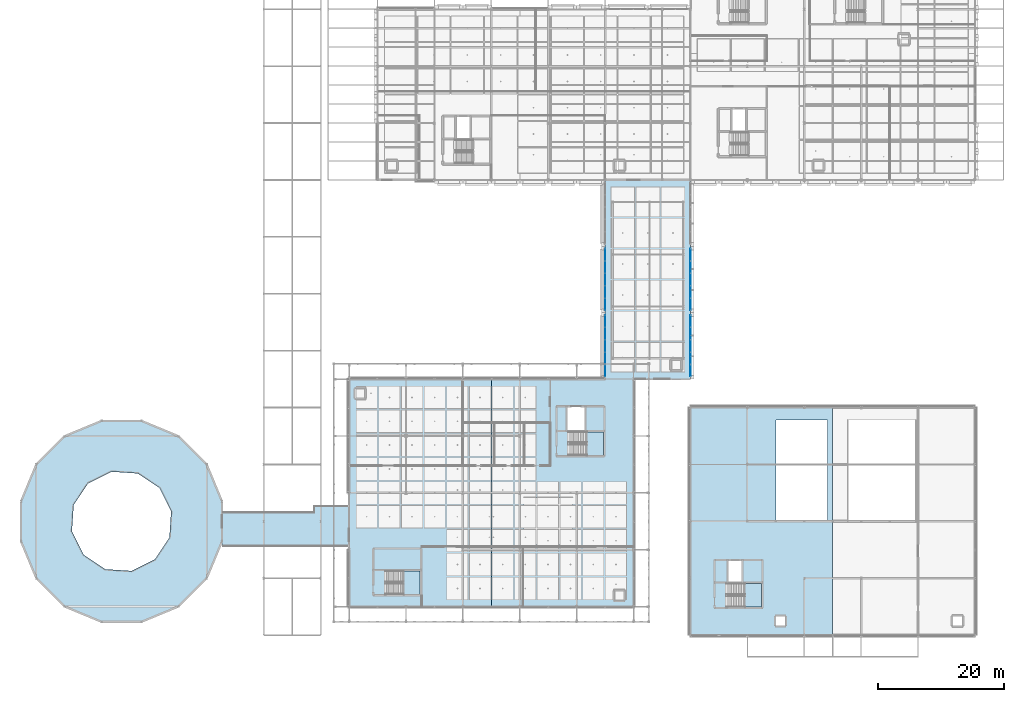
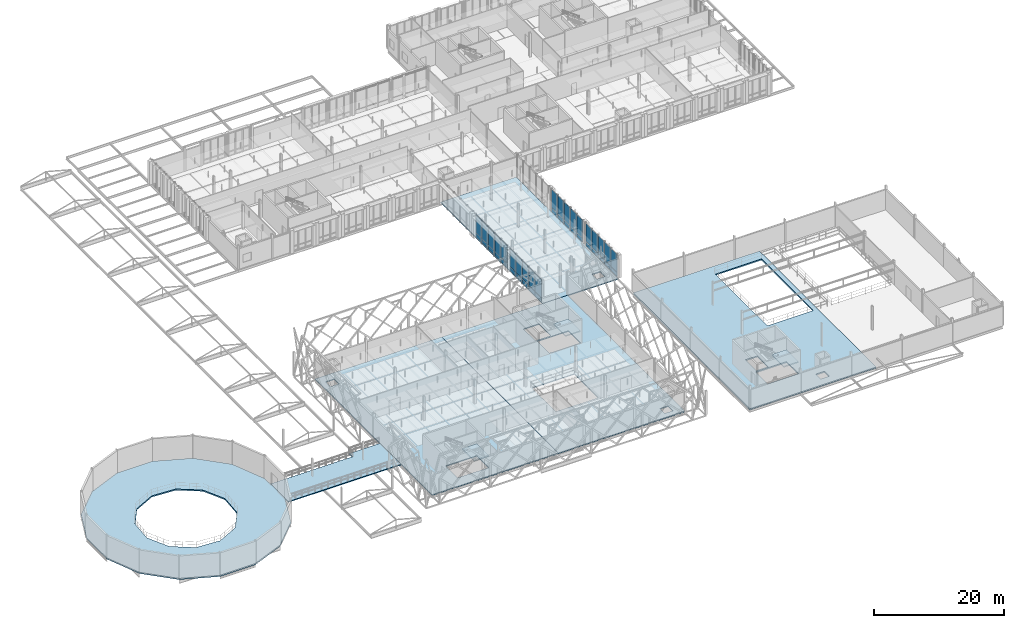
# One storey, part 73 of 140: 40 plates, 9 slabs, 7 elements without a shape of their own.
"""IFC4 building model written with IfcOpenShell, lengths in metres."""

from ifc_helpers import new_model, si_unit, direction, frame, origin, origin_2d, place, context, subcontext, project, spatial, polyline, rectangle, outline, extrude, material, layer, layer_set, type_object, element, aggregate, save


model = new_model("IFC4")

# Units and contexts
model_context = context("Model", 3, precision=1e-05, world=origin(), true_north=direction((0.0, 1.0)))
body_context = subcontext(model_context, "Body", "Model", "MODEL_VIEW")
ifc_project = project(units=[si_unit("LENGTHUNIT", "METRE"), si_unit("AREAUNIT", "SQUARE_METRE"), si_unit("VOLUMEUNIT", "CUBIC_METRE"), si_unit("PLANEANGLEUNIT", "RADIAN"), si_unit("MASSUNIT", "GRAM", prefix="KILO"), si_unit("THERMODYNAMICTEMPERATUREUNIT", "KELVIN"), si_unit("POWERUNIT", "WATT")], contexts=[model_context])

# Site, building, storey
site_placement = place(None, origin())
site = spatial("IfcSite", under=ifc_project, at=site_placement, CompositionType="ELEMENT")
building_placement = place(site_placement, origin())
building = spatial("IfcBuilding", under=site, at=building_placement, Name="Tallowbark Science Centre", CompositionType="ELEMENT")
storey_placement = place(building_placement, frame((0.0, 0.0, 9.89990234375)))
storey = spatial("IfcBuildingStorey", under=building, at=storey_placement, Name="L02", CompositionType="ELEMENT", Elevation=9.89990234375)

# Curtain wall, plates
ifc_material_1 = material(Name="Unitised Thermally Broken Aluminium and Low-E Double Glazing", Category="aluminium")
curtain_wall_type = type_object("IfcCurtainWallType", Name="CW-SYS-FACADE", PredefinedType="NOTDEFINED", material=ifc_material_1)
curtain_wall_1_placement = place(storey_placement, origin())
curtain_wall_1 = element("IfcCurtainWall", 1, at=curtain_wall_1_placement, inside=storey, type_object=curtain_wall_type, Name="Unitised Curtain Wall LNK-W-0 CW-L02-016", PredefinedType="NOTDEFINED")
ifc_material_2 = material(Name="Double Glazed Argon Low-E Vision Glass", Category="glass")
ifc_layer_1 = layer(ifc_material_2, 0.028076171875)
ifc_layer_set_1 = layer_set([ifc_layer_1], Name="Double Glazed Argon Low-E Vision Glass")
plate_type_1 = type_object("IfcPlateType", Name="CWP-GLZ-28", PredefinedType="CURTAIN_PANEL", material=ifc_layer_set_1)
plate_1_placement = place(storey_placement, frame((99.0, 49.65380859375, 0.05517578125), z_axis=(0.0, 0.0, 1.0), x_axis=(0.0, -1.0, 0.0)))
plate_1 = element("IfcPlate", 2, at=plate_1_placement, type_object=plate_type_1, Name="CW-01 panel 1.1", PredefinedType="CURTAIN_PANEL", context=body_context, shape_type="SweptSolid", body=[
    extrude(rectangle(XDim=1.862548828125, YDim=0.028076171875, at=origin_2d()), origin(), (0.0, 0.0, 1.0), 0.767578125),
])
plate_2_placement = place(storey_placement, frame((99.0, 49.65380859375, 0.87744140625), z_axis=(0.0, 0.0, 1.0), x_axis=(0.0, -1.0, 0.0)))
plate_2 = element("IfcPlate", 3, at=plate_2_placement, type_object=plate_type_1, Name="CW-01 panel 1.2", PredefinedType="CURTAIN_PANEL", context=body_context, shape_type="SweptSolid", body=[
    extrude(rectangle(XDim=1.862548828125, YDim=0.028076171875, at=origin_2d()), origin(), (0.0, 0.0, 1.0), 3.387451171875),
])
plate_3_placement = place(storey_placement, frame((99.0, 47.7099609375, 0.05517578125), z_axis=(0.0, 0.0, 1.0), x_axis=(0.0, -1.0, 0.0)))
plate_3 = element("IfcPlate", 4, at=plate_3_placement, type_object=plate_type_1, Name="CW-01 panel 2.1", PredefinedType="CURTAIN_PANEL", context=body_context, shape_type="SweptSolid", body=[
    extrude(rectangle(XDim=1.89501953125, YDim=0.028076171875, at=origin_2d()), origin(), (0.0, 0.0, 1.0), 0.767578125),
])
plate_4_placement = place(storey_placement, frame((99.0, 47.7099609375, 0.87744140625), z_axis=(0.0, 0.0, 1.0), x_axis=(0.0, -1.0, 0.0)))
plate_4 = element("IfcPlate", 5, at=plate_4_placement, type_object=plate_type_1, Name="CW-01 panel 2.2", PredefinedType="CURTAIN_PANEL", context=body_context, shape_type="SweptSolid", body=[
    extrude(rectangle(XDim=1.89501953125, YDim=0.028076171875, at=origin_2d()), origin(), (0.0, 0.0, 1.0), 3.387451171875),
])
plate_5_placement = place(storey_placement, frame((99.0, 45.75, 0.05517578125), z_axis=(0.0, 0.0, 1.0), x_axis=(0.0, -1.0, 0.0)))
plate_5 = element("IfcPlate", 6, at=plate_5_placement, type_object=plate_type_1, Name="CW-01 panel 3.1", PredefinedType="CURTAIN_PANEL", context=body_context, shape_type="SweptSolid", body=[
    extrude(rectangle(XDim=1.89501953125, YDim=0.028076171875, at=origin_2d()), origin(), (0.0, 0.0, 1.0), 0.767578125),
])
plate_6_placement = place(storey_placement, frame((99.0, 45.75, 0.87744140625), z_axis=(0.0, 0.0, 1.0), x_axis=(0.0, -1.0, 0.0)))
plate_6 = element("IfcPlate", 7, at=plate_6_placement, type_object=plate_type_1, Name="CW-01 panel 3.2", PredefinedType="CURTAIN_PANEL", context=body_context, shape_type="SweptSolid", body=[
    extrude(rectangle(XDim=1.89501953125, YDim=0.028076171875, at=origin_2d()), origin(), (0.0, 0.0, 1.0), 3.387451171875),
])
plate_7_placement = place(storey_placement, frame((99.0, 43.7900390625, 0.05517578125), z_axis=(0.0, 0.0, 1.0), x_axis=(0.0, -1.0, 0.0)))
plate_7 = element("IfcPlate", 8, at=plate_7_placement, type_object=plate_type_1, Name="CW-01 panel 4.1", PredefinedType="CURTAIN_PANEL", context=body_context, shape_type="SweptSolid", body=[
    extrude(rectangle(XDim=1.89501953125, YDim=0.028076171875, at=origin_2d()), origin(), (0.0, 0.0, 1.0), 0.767578125),
])
plate_8_placement = place(storey_placement, frame((99.0, 43.7900390625, 0.87744140625), z_axis=(0.0, 0.0, 1.0), x_axis=(0.0, -1.0, 0.0)))
plate_8 = element("IfcPlate", 9, at=plate_8_placement, type_object=plate_type_1, Name="CW-01 panel 4.2", PredefinedType="CURTAIN_PANEL", context=body_context, shape_type="SweptSolid", body=[
    extrude(rectangle(XDim=1.89501953125, YDim=0.028076171875, at=origin_2d()), origin(), (0.0, 0.0, 1.0), 3.387451171875),
])
plate_9_placement = place(storey_placement, frame((99.0, 41.84619140625, 0.05517578125), z_axis=(0.0, 0.0, 1.0), x_axis=(0.0, -1.0, 0.0)))
plate_9 = element("IfcPlate", 10, at=plate_9_placement, type_object=plate_type_1, Name="CW-01 panel 5.1", PredefinedType="CURTAIN_PANEL", context=body_context, shape_type="SweptSolid", body=[
    extrude(rectangle(XDim=1.862548828125, YDim=0.028076171875, at=origin_2d()), origin(), (0.0, 0.0, 1.0), 0.767578125),
])
plate_10_placement = place(storey_placement, frame((99.0, 41.84619140625, 0.87744140625), z_axis=(0.0, 0.0, 1.0), x_axis=(0.0, -1.0, 0.0)))
plate_10 = element("IfcPlate", 11, at=plate_10_placement, type_object=plate_type_1, Name="CW-01 panel 5.2", PredefinedType="CURTAIN_PANEL", context=body_context, shape_type="SweptSolid", body=[
    extrude(rectangle(XDim=1.862548828125, YDim=0.028076171875, at=origin_2d()), origin(), (0.0, 0.0, 1.0), 3.387451171875),
])
aggregate(curtain_wall_1, [plate_1, plate_2, plate_3, plate_4, plate_5, plate_6, plate_7, plate_8, plate_9, plate_10])

curtain_wall_2_placement = place(storey_placement, origin())
curtain_wall_2 = element("IfcCurtainWall", 12, at=curtain_wall_2_placement, inside=storey, type_object=curtain_wall_type, Name="Unitised Curtain Wall LNK-E-0 CW-L02-017", PredefinedType="NOTDEFINED")
plate_11_placement = place(storey_placement, frame((112.5, 41.84619140625, 0.05517578125), z_axis=(0.0, 0.0, 1.0), x_axis=(0.0, 1.0, 0.0)))
plate_11 = element("IfcPlate", 13, at=plate_11_placement, type_object=plate_type_1, Name="CW-01 panel 1.1", PredefinedType="CURTAIN_PANEL", context=body_context, shape_type="SweptSolid", body=[
    extrude(rectangle(XDim=1.862548828125, YDim=0.028076171875, at=origin_2d()), origin(), (0.0, 0.0, 1.0), 0.767578125),
])
plate_12_placement = place(storey_placement, frame((112.5, 41.84619140625, 0.87744140625), z_axis=(0.0, 0.0, 1.0), x_axis=(0.0, 1.0, 0.0)))
plate_12 = element("IfcPlate", 14, at=plate_12_placement, type_object=plate_type_1, Name="CW-01 panel 1.2", PredefinedType="CURTAIN_PANEL", context=body_context, shape_type="SweptSolid", body=[
    extrude(rectangle(XDim=1.862548828125, YDim=0.028076171875, at=origin_2d()), origin(), (0.0, 0.0, 1.0), 3.387451171875),
])
plate_13_placement = place(storey_placement, frame((112.5, 43.7900390625, 0.05517578125), z_axis=(0.0, 0.0, 1.0), x_axis=(0.0, 1.0, 0.0)))
plate_13 = element("IfcPlate", 15, at=plate_13_placement, type_object=plate_type_1, Name="CW-01 panel 2.1", PredefinedType="CURTAIN_PANEL", context=body_context, shape_type="SweptSolid", body=[
    extrude(rectangle(XDim=1.89501953125, YDim=0.028076171875, at=origin_2d()), origin(), (0.0, 0.0, 1.0), 0.767578125),
])
plate_14_placement = place(storey_placement, frame((112.5, 43.7900390625, 0.87744140625), z_axis=(0.0, 0.0, 1.0), x_axis=(0.0, 1.0, 0.0)))
plate_14 = element("IfcPlate", 16, at=plate_14_placement, type_object=plate_type_1, Name="CW-01 panel 2.2", PredefinedType="CURTAIN_PANEL", context=body_context, shape_type="SweptSolid", body=[
    extrude(rectangle(XDim=1.89501953125, YDim=0.028076171875, at=origin_2d()), origin(), (0.0, 0.0, 1.0), 3.387451171875),
])
plate_15_placement = place(storey_placement, frame((112.5, 45.75, 0.05517578125), z_axis=(0.0, 0.0, 1.0), x_axis=(0.0, 1.0, 0.0)))
plate_15 = element("IfcPlate", 17, at=plate_15_placement, type_object=plate_type_1, Name="CW-01 panel 3.1", PredefinedType="CURTAIN_PANEL", context=body_context, shape_type="SweptSolid", body=[
    extrude(rectangle(XDim=1.89501953125, YDim=0.028076171875, at=origin_2d()), origin(), (0.0, 0.0, 1.0), 0.767578125),
])
plate_16_placement = place(storey_placement, frame((112.5, 45.75, 0.87744140625), z_axis=(0.0, 0.0, 1.0), x_axis=(0.0, 1.0, 0.0)))
plate_16 = element("IfcPlate", 18, at=plate_16_placement, type_object=plate_type_1, Name="CW-01 panel 3.2", PredefinedType="CURTAIN_PANEL", context=body_context, shape_type="SweptSolid", body=[
    extrude(rectangle(XDim=1.89501953125, YDim=0.028076171875, at=origin_2d()), origin(), (0.0, 0.0, 1.0), 3.387451171875),
])
plate_17_placement = place(storey_placement, frame((112.5, 47.7099609375, 0.05517578125), z_axis=(0.0, 0.0, 1.0), x_axis=(0.0, 1.0, 0.0)))
plate_17 = element("IfcPlate", 19, at=plate_17_placement, type_object=plate_type_1, Name="CW-01 panel 4.1", PredefinedType="CURTAIN_PANEL", context=body_context, shape_type="SweptSolid", body=[
    extrude(rectangle(XDim=1.89501953125, YDim=0.028076171875, at=origin_2d()), origin(), (0.0, 0.0, 1.0), 0.767578125),
])
plate_18_placement = place(storey_placement, frame((112.5, 47.7099609375, 0.87744140625), z_axis=(0.0, 0.0, 1.0), x_axis=(0.0, 1.0, 0.0)))
plate_18 = element("IfcPlate", 20, at=plate_18_placement, type_object=plate_type_1, Name="CW-01 panel 4.2", PredefinedType="CURTAIN_PANEL", context=body_context, shape_type="SweptSolid", body=[
    extrude(rectangle(XDim=1.89501953125, YDim=0.028076171875, at=origin_2d()), origin(), (0.0, 0.0, 1.0), 3.387451171875),
])
plate_19_placement = place(storey_placement, frame((112.5, 49.65380859375, 0.05517578125), z_axis=(0.0, 0.0, 1.0), x_axis=(0.0, 1.0, 0.0)))
plate_19 = element("IfcPlate", 21, at=plate_19_placement, type_object=plate_type_1, Name="CW-01 panel 5.1", PredefinedType="CURTAIN_PANEL", context=body_context, shape_type="SweptSolid", body=[
    extrude(rectangle(XDim=1.862548828125, YDim=0.028076171875, at=origin_2d()), origin(), (0.0, 0.0, 1.0), 0.767578125),
])
plate_20_placement = place(storey_placement, frame((112.5, 49.65380859375, 0.87744140625), z_axis=(0.0, 0.0, 1.0), x_axis=(0.0, 1.0, 0.0)))
plate_20 = element("IfcPlate", 22, at=plate_20_placement, type_object=plate_type_1, Name="CW-01 panel 5.2", PredefinedType="CURTAIN_PANEL", context=body_context, shape_type="SweptSolid", body=[
    extrude(rectangle(XDim=1.862548828125, YDim=0.028076171875, at=origin_2d()), origin(), (0.0, 0.0, 1.0), 3.387451171875),
])
aggregate(curtain_wall_2, [plate_11, plate_12, plate_13, plate_14, plate_15, plate_16, plate_17, plate_18, plate_19, plate_20])

curtain_wall_3_placement = place(storey_placement, origin())
curtain_wall_3 = element("IfcCurtainWall", 23, at=curtain_wall_3_placement, inside=storey, type_object=curtain_wall_type, Name="Unitised Curtain Wall LNK-E-1 CW-L02-019", PredefinedType="NOTDEFINED")
plate_21_placement = place(storey_placement, frame((112.5, 52.34619140625, 0.05517578125), z_axis=(0.0, 0.0, 1.0), x_axis=(0.0, 1.0, 0.0)))
plate_21 = element("IfcPlate", 24, at=plate_21_placement, type_object=plate_type_1, Name="CW-01 panel 1.1", PredefinedType="CURTAIN_PANEL", context=body_context, shape_type="SweptSolid", body=[
    extrude(rectangle(XDim=1.862548828125, YDim=0.028076171875, at=origin_2d()), origin(), (0.0, 0.0, 1.0), 0.767578125),
])
plate_22_placement = place(storey_placement, frame((112.5, 52.34619140625, 0.87744140625), z_axis=(0.0, 0.0, 1.0), x_axis=(0.0, 1.0, 0.0)))
plate_22 = element("IfcPlate", 25, at=plate_22_placement, type_object=plate_type_1, Name="CW-01 panel 1.2", PredefinedType="CURTAIN_PANEL", context=body_context, shape_type="SweptSolid", body=[
    extrude(rectangle(XDim=1.862548828125, YDim=0.028076171875, at=origin_2d()), origin(), (0.0, 0.0, 1.0), 3.387451171875),
])
plate_23_placement = place(storey_placement, frame((112.5, 54.2900390625, 0.05517578125), z_axis=(0.0, 0.0, 1.0), x_axis=(0.0, 1.0, 0.0)))
plate_23 = element("IfcPlate", 26, at=plate_23_placement, type_object=plate_type_1, Name="CW-01 panel 2.1", PredefinedType="CURTAIN_PANEL", context=body_context, shape_type="SweptSolid", body=[
    extrude(rectangle(XDim=1.89501953125, YDim=0.028076171875, at=origin_2d()), origin(), (0.0, 0.0, 1.0), 0.767578125),
])
plate_24_placement = place(storey_placement, frame((112.5, 54.2900390625, 0.87744140625), z_axis=(0.0, 0.0, 1.0), x_axis=(0.0, 1.0, 0.0)))
plate_24 = element("IfcPlate", 27, at=plate_24_placement, type_object=plate_type_1, Name="CW-01 panel 2.2", PredefinedType="CURTAIN_PANEL", context=body_context, shape_type="SweptSolid", body=[
    extrude(rectangle(XDim=1.89501953125, YDim=0.028076171875, at=origin_2d()), origin(), (0.0, 0.0, 1.0), 3.387451171875),
])
plate_25_placement = place(storey_placement, frame((112.5, 56.25, 0.05517578125), z_axis=(0.0, 0.0, 1.0), x_axis=(0.0, 1.0, 0.0)))
plate_25 = element("IfcPlate", 28, at=plate_25_placement, type_object=plate_type_1, Name="CW-01 panel 3.1", PredefinedType="CURTAIN_PANEL", context=body_context, shape_type="SweptSolid", body=[
    extrude(rectangle(XDim=1.89501953125, YDim=0.028076171875, at=origin_2d()), origin(), (0.0, 0.0, 1.0), 0.767578125),
])
plate_26_placement = place(storey_placement, frame((112.5, 56.25, 0.87744140625), z_axis=(0.0, 0.0, 1.0), x_axis=(0.0, 1.0, 0.0)))
plate_26 = element("IfcPlate", 29, at=plate_26_placement, type_object=plate_type_1, Name="CW-01 panel 3.2", PredefinedType="CURTAIN_PANEL", context=body_context, shape_type="SweptSolid", body=[
    extrude(rectangle(XDim=1.89501953125, YDim=0.028076171875, at=origin_2d()), origin(), (0.0, 0.0, 1.0), 3.387451171875),
])
plate_27_placement = place(storey_placement, frame((112.5, 58.2099609375, 0.05517578125), z_axis=(0.0, 0.0, 1.0), x_axis=(0.0, 1.0, 0.0)))
plate_27 = element("IfcPlate", 30, at=plate_27_placement, type_object=plate_type_1, Name="CW-01 panel 4.1", PredefinedType="CURTAIN_PANEL", context=body_context, shape_type="SweptSolid", body=[
    extrude(rectangle(XDim=1.89501953125, YDim=0.028076171875, at=origin_2d()), origin(), (0.0, 0.0, 1.0), 0.767578125),
])
plate_28_placement = place(storey_placement, frame((112.5, 58.2099609375, 0.87744140625), z_axis=(0.0, 0.0, 1.0), x_axis=(0.0, 1.0, 0.0)))
plate_28 = element("IfcPlate", 31, at=plate_28_placement, type_object=plate_type_1, Name="CW-01 panel 4.2", PredefinedType="CURTAIN_PANEL", context=body_context, shape_type="SweptSolid", body=[
    extrude(rectangle(XDim=1.89501953125, YDim=0.028076171875, at=origin_2d()), origin(), (0.0, 0.0, 1.0), 3.387451171875),
])
plate_29_placement = place(storey_placement, frame((112.5, 60.15380859375, 0.05517578125), z_axis=(0.0, 0.0, 1.0), x_axis=(0.0, 1.0, 0.0)))
plate_29 = element("IfcPlate", 32, at=plate_29_placement, type_object=plate_type_1, Name="CW-01 panel 5.1", PredefinedType="CURTAIN_PANEL", context=body_context, shape_type="SweptSolid", body=[
    extrude(rectangle(XDim=1.862548828125, YDim=0.028076171875, at=origin_2d()), origin(), (0.0, 0.0, 1.0), 0.767578125),
])
plate_30_placement = place(storey_placement, frame((112.5, 60.15380859375, 0.87744140625), z_axis=(0.0, 0.0, 1.0), x_axis=(0.0, 1.0, 0.0)))
plate_30 = element("IfcPlate", 33, at=plate_30_placement, type_object=plate_type_1, Name="CW-01 panel 5.2", PredefinedType="CURTAIN_PANEL", context=body_context, shape_type="SweptSolid", body=[
    extrude(rectangle(XDim=1.862548828125, YDim=0.028076171875, at=origin_2d()), origin(), (0.0, 0.0, 1.0), 3.387451171875),
])
aggregate(curtain_wall_3, [plate_21, plate_22, plate_23, plate_24, plate_25, plate_26, plate_27, plate_28, plate_29, plate_30])

curtain_wall_4_placement = place(storey_placement, origin())
curtain_wall_4 = element("IfcCurtainWall", 34, at=curtain_wall_4_placement, inside=storey, type_object=curtain_wall_type, Name="Unitised Curtain Wall LNK-W-1 CW-L02-018", PredefinedType="NOTDEFINED")
ifc_material_3 = material(Name="Ceramic-Fritted Insulated Glass Spandrel Panel", Category="glass")
ifc_layer_2 = layer(ifc_material_3, 0.031982421875)
ifc_layer_set_2 = layer_set([ifc_layer_2], Name="Ceramic-Fritted Insulated Glass Spandrel Panel")
plate_type_2 = type_object("IfcPlateType", Name="CWP-SPN-32", PredefinedType="CURTAIN_PANEL", material=ifc_layer_set_2)
plate_31_placement = place(storey_placement, frame((99.0, 60.15380859375, 0.05517578125), z_axis=(0.0, 0.0, 1.0), x_axis=(0.0, -1.0, 0.0)))
plate_31 = element("IfcPlate", 35, at=plate_31_placement, type_object=plate_type_2, Name="CW-01 panel 1.1", PredefinedType="CURTAIN_PANEL", context=body_context, shape_type="SweptSolid", body=[
    extrude(rectangle(XDim=1.862548828125, YDim=0.031982421875, at=origin_2d()), origin(), (0.0, 0.0, 1.0), 0.767578125),
])
plate_32_placement = place(storey_placement, frame((99.0, 60.15380859375, 0.87744140625), z_axis=(0.0, 0.0, 1.0), x_axis=(0.0, -1.0, 0.0)))
plate_32 = element("IfcPlate", 36, at=plate_32_placement, type_object=plate_type_2, Name="CW-01 panel 1.2", PredefinedType="CURTAIN_PANEL", context=body_context, shape_type="SweptSolid", body=[
    extrude(rectangle(XDim=1.862548828125, YDim=0.031982421875, at=origin_2d()), origin(), (0.0, 0.0, 1.0), 3.387451171875),
])
plate_33_placement = place(storey_placement, frame((99.0, 58.2099609375, 0.05517578125), z_axis=(0.0, 0.0, 1.0), x_axis=(0.0, -1.0, 0.0)))
plate_33 = element("IfcPlate", 37, at=plate_33_placement, type_object=plate_type_2, Name="CW-01 panel 2.1", PredefinedType="CURTAIN_PANEL", context=body_context, shape_type="SweptSolid", body=[
    extrude(rectangle(XDim=1.89501953125, YDim=0.031982421875, at=origin_2d()), origin(), (0.0, 0.0, 1.0), 0.767578125),
])
plate_34_placement = place(storey_placement, frame((99.0, 58.2099609375, 0.87744140625), z_axis=(0.0, 0.0, 1.0), x_axis=(0.0, -1.0, 0.0)))
plate_34 = element("IfcPlate", 38, at=plate_34_placement, type_object=plate_type_2, Name="CW-01 panel 2.2", PredefinedType="CURTAIN_PANEL", context=body_context, shape_type="SweptSolid", body=[
    extrude(rectangle(XDim=1.89501953125, YDim=0.031982421875, at=origin_2d()), origin(), (0.0, 0.0, 1.0), 3.387451171875),
])
plate_35_placement = place(storey_placement, frame((99.0, 56.25, 0.05517578125), z_axis=(0.0, 0.0, 1.0), x_axis=(0.0, -1.0, 0.0)))
plate_35 = element("IfcPlate", 39, at=plate_35_placement, type_object=plate_type_2, Name="CW-01 panel 3.1", PredefinedType="CURTAIN_PANEL", context=body_context, shape_type="SweptSolid", body=[
    extrude(rectangle(XDim=1.89501953125, YDim=0.031982421875, at=origin_2d()), origin(), (0.0, 0.0, 1.0), 0.767578125),
])
plate_36_placement = place(storey_placement, frame((99.0, 56.25, 0.87744140625), z_axis=(0.0, 0.0, 1.0), x_axis=(0.0, -1.0, 0.0)))
plate_36 = element("IfcPlate", 40, at=plate_36_placement, type_object=plate_type_2, Name="CW-01 panel 3.2", PredefinedType="CURTAIN_PANEL", context=body_context, shape_type="SweptSolid", body=[
    extrude(rectangle(XDim=1.89501953125, YDim=0.031982421875, at=origin_2d()), origin(), (0.0, 0.0, 1.0), 3.387451171875),
])
plate_37_placement = place(storey_placement, frame((99.0, 54.2900390625, 0.05517578125), z_axis=(0.0, 0.0, 1.0), x_axis=(0.0, -1.0, 0.0)))
plate_37 = element("IfcPlate", 41, at=plate_37_placement, type_object=plate_type_2, Name="CW-01 panel 4.1", PredefinedType="CURTAIN_PANEL", context=body_context, shape_type="SweptSolid", body=[
    extrude(rectangle(XDim=1.89501953125, YDim=0.031982421875, at=origin_2d()), origin(), (0.0, 0.0, 1.0), 0.767578125),
])
plate_38_placement = place(storey_placement, frame((99.0, 54.2900390625, 0.87744140625), z_axis=(0.0, 0.0, 1.0), x_axis=(0.0, -1.0, 0.0)))
plate_38 = element("IfcPlate", 42, at=plate_38_placement, type_object=plate_type_2, Name="CW-01 panel 4.2", PredefinedType="CURTAIN_PANEL", context=body_context, shape_type="SweptSolid", body=[
    extrude(rectangle(XDim=1.89501953125, YDim=0.031982421875, at=origin_2d()), origin(), (0.0, 0.0, 1.0), 3.387451171875),
])
plate_39_placement = place(storey_placement, frame((99.0, 52.34619140625, 0.05517578125), z_axis=(0.0, 0.0, 1.0), x_axis=(0.0, -1.0, 0.0)))
plate_39 = element("IfcPlate", 43, at=plate_39_placement, type_object=plate_type_2, Name="CW-01 panel 5.1", PredefinedType="CURTAIN_PANEL", context=body_context, shape_type="SweptSolid", body=[
    extrude(rectangle(XDim=1.862548828125, YDim=0.031982421875, at=origin_2d()), origin(), (0.0, 0.0, 1.0), 0.767578125),
])
plate_40_placement = place(storey_placement, frame((99.0, 52.34619140625, 0.87744140625), z_axis=(0.0, 0.0, 1.0), x_axis=(0.0, -1.0, 0.0)))
plate_40 = element("IfcPlate", 44, at=plate_40_placement, type_object=plate_type_2, Name="CW-01 panel 5.2", PredefinedType="CURTAIN_PANEL", context=body_context, shape_type="SweptSolid", body=[
    extrude(rectangle(XDim=1.862548828125, YDim=0.031982421875, at=origin_2d()), origin(), (0.0, 0.0, 1.0), 3.387451171875),
])
aggregate(curtain_wall_4, [plate_31, plate_32, plate_33, plate_34, plate_35, plate_36, plate_37, plate_38, plate_39, plate_40])

# Slabs
ifc_material_4 = material(Name="Concrete Grade N40 (40 MPa)", Category="concrete")
ifc_layer_3 = layer(ifc_material_4, 0.179931640625)
ifc_layer_set_3 = layer_set([ifc_layer_3], Name="Concrete Grade N40 (40 MPa)")
slab_type_1 = type_object("IfcSlabType", Name="SLB-FLR-180", PredefinedType="FLOOR", material=ifc_layer_set_3)
slab_1_placement = place(storey_placement, frame((0.0, 0.0, -0.179931640625)))
element("IfcSlab", 45, at=slab_1_placement, inside=storey, type_object=slab_type_1, Name="Exhibition Hall West Slab SLB-CUB-W-L02", PredefinedType="FLOOR", context=body_context, shape_type="SweptSolid", body=[
    extrude(outline(polyline([(58.5, 4.5), (81.0, 4.5), (81.0, 40.5), (58.5, 40.5), (58.5, 4.5)]), holes=[polyline([(64.2099609375, 6.449951171875), (69.75, 6.449951171875), (69.75, 10.169921875), (64.2099609375, 10.169921875), (64.2099609375, 6.449951171875)]), polyline([(59.5, 37.5), (61.0, 37.5), (61.0, 39.0), (59.5, 39.0), (59.5, 37.5)])]), origin(), (0.0, 0.0, 1.0), 0.179931640625),
])
slab_2_placement = place(storey_placement, frame((0.0, 0.0, -0.179931640625)))
element("IfcSlab", 46, at=slab_2_placement, inside=storey, type_object=slab_type_1, Name="Exhibition Hall East Slab SLB-CUB-E-L02", PredefinedType="FLOOR", context=body_context, shape_type="SweptSolid", body=[
    extrude(outline(polyline([(81.0, 4.5), (103.5, 4.5), (103.5, 40.5), (81.0, 40.5), (81.0, 4.5)]), holes=[polyline([(93.2099609375, 28.449951171875), (98.75, 28.449951171875), (98.75, 32.169921875), (93.2099609375, 32.169921875), (93.2099609375, 28.449951171875)]), polyline([(93.0, 32.419921875), (95.800048828125, 32.419921875), (95.800048828125, 36.050048828125), (93.0, 36.050048828125), (93.0, 32.419921875)]), polyline([(100.5, 5.5), (102.0, 5.5), (102.0, 7.0), (100.5, 7.0), (100.5, 5.5)]), polyline([(86.199951171875, 14.300048828125), (93.800048828125, 14.300048828125), (93.800048828125, 21.699951171875), (86.199951171875, 21.699951171875), (86.199951171875, 14.300048828125)])]), origin(), (0.0, 0.0, 1.0), 0.179931640625),
])
slab_3_placement = place(storey_placement, frame((0.0, 0.0, -0.179931640625)))
element("IfcSlab", 47, at=slab_3_placement, inside=storey, type_object=slab_type_1, Name="Planetarium-Exhibition Concourse Bridge L02 SLB-PAS-BRG-L02", PredefinedType="FLOOR", context=body_context, shape_type="SweptSolid", body=[
    extrude(outline(polyline([(38.419921875, 14.0), (58.5, 14.0), (58.5, 20.5), (53.0, 20.5), (53.0, 19.5), (38.419921875, 19.5), (38.419921875, 14.0)])), origin(), (0.0, 0.0, 1.0), 0.179931640625),
])
slab_4_placement = place(storey_placement, frame((0.0, 0.0, -0.179931640625)))
element("IfcSlab", 48, at=slab_4_placement, inside=storey, type_object=slab_type_1, Name="East Link Gallery Slab SLB-LNK-L02", PredefinedType="FLOOR", context=body_context, shape_type="SweptSolid", body=[
    extrude(outline(polyline([(99.0, 40.5), (112.47509765625, 40.5), (112.47509765625, 72.0), (99.0, 72.0), (99.0, 40.5)]), holes=[polyline([(109.5, 42.0), (111.0, 42.0), (111.0, 43.5), (109.5, 43.5), (109.5, 42.0)])]), origin(), (0.0, 0.0, 1.0), 0.179931640625),
])
ifc_layer_4 = layer(ifc_material_4, 0.239990234375)
ifc_layer_set_4 = layer_set([ifc_layer_4], Name="Concrete Grade N40 (40 MPa)")
slab_type_2 = type_object("IfcSlabType", Name="SLB-GND-240", PredefinedType="FLOOR", material=ifc_layer_set_4)
slab_5_placement = place(storey_placement, frame((0.0, 0.0, -0.239990234375)))
element("IfcSlab", 49, at=slab_5_placement, inside=storey, type_object=slab_type_2, Name="Planetarium Astronomy Ring Slab SLB-DRM-L02", PredefinedType="FLOOR", context=body_context, shape_type="SweptSolid", body=[
    extrude(outline(polyline([(38.388671875, 21.160400390625), (35.9697265625, 27.000244140625), (31.500244140625, 31.4697265625), (25.660400390625, 33.888671875), (19.339599609375, 33.888671875), (13.499755859375, 31.4697265625), (9.0302734375, 27.000244140625), (6.611328125, 21.160400390625), (6.611328125, 14.839599609375), (9.0302734375, 8.999755859375), (13.499755859375, 4.5302734375), (19.339599609375, 2.111328125), (25.660400390625, 2.111328125), (31.500244140625, 4.5302734375), (35.9697265625, 8.999755859375), (38.388671875, 14.839599609375), (38.388671875, 21.160400390625)]), holes=[polyline([(30.34619140625, 19.560791015625), (28.5146484375, 23.274658203125), (25.071533203125, 25.575439453125), (20.939208984375, 25.84619140625), (17.225341796875, 24.0146484375), (14.924560546875, 20.571533203125), (14.65380859375, 16.439208984375), (16.4853515625, 12.725341796875), (19.928466796875, 10.424560546875), (24.060791015625, 10.15380859375), (27.774658203125, 11.9853515625), (30.075439453125, 15.428466796875), (30.34619140625, 19.560791015625)])]), origin(), (0.0, 0.0, 1.0), 0.239990234375),
])
slab_6_placement = place(storey_placement, frame((0.0, 0.0, -0.239990234375)))
element("IfcSlab", 50, at=slab_6_placement, inside=storey, type_object=slab_type_2, Name="Theatre West Slab SLB-THT-W-L02", PredefinedType="FLOOR", context=body_context, shape_type="SweptSolid", body=[
    extrude(outline(polyline([(112.52490234375, 0.0), (135.0, 0.0), (135.0, 36.0), (112.52490234375, 36.0), (112.52490234375, 0.0)]), holes=[polyline([(118.2099609375, 4.449951171875), (123.75, 4.449951171875), (123.75, 8.169921875), (118.2099609375, 8.169921875), (118.2099609375, 4.449951171875)]), polyline([(118.5, 8.419921875), (120.60009765625, 8.419921875), (120.60009765625, 11.75), (118.5, 11.75), (118.5, 8.419921875)]), polyline([(126.0, 1.5), (127.5, 1.5), (127.5, 3.0), (126.0, 3.0), (126.0, 1.5)]), polyline([(126.0, 18.0), (134.199951171875, 18.0), (134.199951171875, 34.0), (126.0, 34.0), (126.0, 18.0)])]), origin(), (0.0, 0.0, 1.0), 0.239990234375),
])

# Stair, slab
stair_type_1 = type_object("IfcStairType", Name="STR-C3", PredefinedType="HALF_TURN_STAIR", material=ifc_material_4)
stair_1_placement = place(storey_placement, origin())
stair_1 = element("IfcStair", 51, at=stair_1_placement, inside=storey, type_object=stair_type_1, Name="L02 Fire Stair ST-03", PredefinedType="HALF_TURN_STAIR")
ifc_layer_5 = layer(ifc_material_4, 0.199951171875)
ifc_layer_set_5 = layer_set([ifc_layer_5], Name="Concrete Grade N40 (40 MPa)")
slab_type_3 = type_object("IfcSlabType", Name="SLB-LND-200", PredefinedType="LANDING", material=ifc_layer_set_5)
slab_7_placement = place(storey_placement, frame((0.0, 0.0, 2.050048828125)))
slab_7 = element("IfcSlab", 52, at=slab_7_placement, type_object=slab_type_3, Name="ST-03 landing 1", PredefinedType="LANDING", context=body_context, shape_type="SweptSolid", body=[
    extrude(outline(polyline([(96.125, 28.449951171875), (98.75, 28.449951171875), (98.75, 32.169921875), (96.125, 32.169921875), (96.125, 28.449951171875)])), origin(), (0.0, 0.0, 1.0), 0.199951171875),
])
aggregate(stair_1, [slab_7])

stair_type_2 = type_object("IfcStairType", Name="STR-C6", PredefinedType="HALF_TURN_STAIR", material=ifc_material_4)
stair_2_placement = place(storey_placement, origin())
stair_2 = element("IfcStair", 53, at=stair_2_placement, inside=storey, type_object=stair_type_2, Name="L02 Fire Stair ST-06", PredefinedType="HALF_TURN_STAIR")
slab_8_placement = place(storey_placement, frame((0.0, 0.0, 2.050048828125)))
slab_8 = element("IfcSlab", 54, at=slab_8_placement, type_object=slab_type_3, Name="ST-06 landing 1", PredefinedType="LANDING", context=body_context, shape_type="SweptSolid", body=[
    extrude(outline(polyline([(121.125, 4.449951171875), (123.75, 4.449951171875), (123.75, 8.169921875), (121.125, 8.169921875), (121.125, 4.449951171875)])), origin(), (0.0, 0.0, 1.0), 0.199951171875),
])
aggregate(stair_2, [slab_8])

stair_type_3 = type_object("IfcStairType", Name="STR-C7", PredefinedType="HALF_TURN_STAIR", material=ifc_material_4)
stair_3_placement = place(storey_placement, origin())
stair_3 = element("IfcStair", 55, at=stair_3_placement, inside=storey, type_object=stair_type_3, Name="L02 Fire Stair ST-07", PredefinedType="HALF_TURN_STAIR")
slab_9_placement = place(storey_placement, frame((0.0, 0.0, 2.050048828125)))
slab_9 = element("IfcSlab", 56, at=slab_9_placement, type_object=slab_type_3, Name="ST-07 landing 1", PredefinedType="LANDING", context=body_context, shape_type="SweptSolid", body=[
    extrude(outline(polyline([(67.125, 6.449951171875), (69.75, 6.449951171875), (69.75, 10.169921875), (67.125, 10.169921875), (67.125, 6.449951171875)])), origin(), (0.0, 0.0, 1.0), 0.199951171875),
])
aggregate(stair_3, [slab_9])

save(model, "model.ifc")
